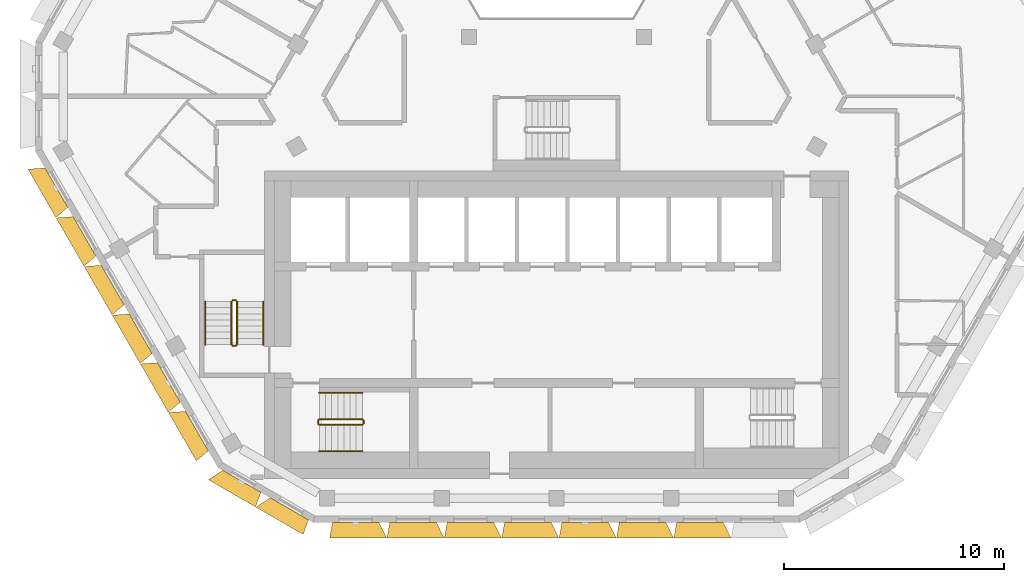
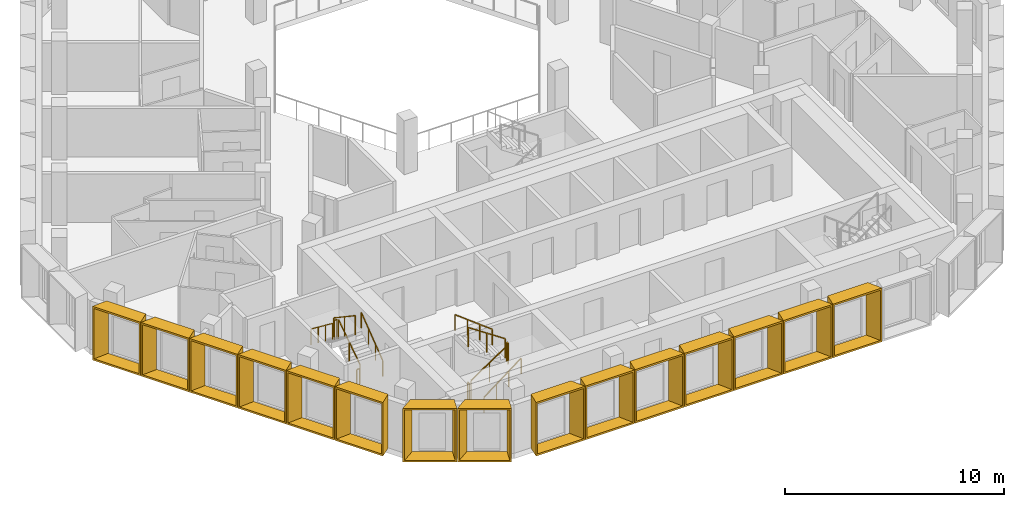
# One storey, part 12 of 16: 15 shading devices, 12 railings.
"""IFC4 building model written with IfcOpenShell, lengths in metres."""

from ifc_helpers import new_model, entity, si_unit, direction, frame, origin, origin_2d, place, context, subcontext, project, spatial, rectangle, extrude, source, transform, mapped, material, type_object, type_shapes, element, save


model = new_model("IFC4")

# Units and contexts
model_context = context("Model", 3, precision=1e-05, world=origin(), true_north=direction((0.0, 1.0)))
body_context = subcontext(model_context, "Body", "Model", "MODEL_VIEW")
ifc_project = project(units=[si_unit("LENGTHUNIT", "METRE"), si_unit("AREAUNIT", "SQUARE_METRE"), si_unit("VOLUMEUNIT", "CUBIC_METRE"), si_unit("PLANEANGLEUNIT", "RADIAN"), si_unit("MASSUNIT", "GRAM", prefix="KILO")], contexts=[model_context])

# Site, building, storey
site_placement = place(None, origin())
site = spatial("IfcSite", under=ifc_project, at=site_placement, CompositionType="ELEMENT")
building_placement = place(site_placement, origin())
building = spatial("IfcBuilding", under=site, at=building_placement, Name="Beryl Residences", CompositionType="ELEMENT")
storey_placement = place(building_placement, frame((0.0, 0.0, 214.800048828125)))
storey = spatial("IfcBuildingStorey", under=building, at=storey_placement, Name="L66", CompositionType="ELEMENT", Elevation=214.800048828125)

# Shading devices
ifc_material_1 = material(Name="Aluminium pale anodised", Category="aluminium")
shading_device_type_1 = type_object("IfcShadingDeviceType", Name="FR250-70B OUTER SKIN frame 700 mm deep, splay 26/10 deg, 2500 x 3000 mm cell", PredefinedType="USERDEFINED", material=ifc_material_1)
cartesian_point_1 = entity("IfcCartesianPoint", [-1.007568359375, 0.0])
cartesian_point_2 = entity("IfcCartesianPoint", [-0.91845703125, 0.10009765625])
cartesian_point_3 = entity("IfcCartesianPoint", [-1.348876953125, 0.0])
cartesian_point_4 = entity("IfcCartesianPoint", [-1.260009765625, 0.10009765625])
shared_shape_1 = source(origin(), body_context, "Body", "SweptSolid", [
    entity("IfcExtrudedAreaSolidTapered", entity("IfcArbitraryProfileDefWithVoids", "AREA", None, entity("IfcPolyline", [cartesian_point_1, entity("IfcCartesianPoint", [1.007568359375, 0.0]), entity("IfcCartesianPoint", [1.007568359375, 3.0]), entity("IfcCartesianPoint", [-1.007568359375, 3.0]), cartesian_point_1]), [entity("IfcPolyline", [cartesian_point_2, entity("IfcCartesianPoint", [0.92626953125, 0.10009765625]), entity("IfcCartesianPoint", [0.92626953125, 2.89990234375]), entity("IfcCartesianPoint", [-0.91845703125, 2.89990234375]), cartesian_point_2])]), entity("IfcAxis2Placement3D", entity("IfcCartesianPoint", [0.0, 0.0, 0.0]), entity("IfcDirection", [0.0, 1.0, 0.0]), entity("IfcDirection", [-1.0, 0.0, 0.0])), entity("IfcDirection", [0.0, 0.0, 1.0]), 0.699951171875, entity("IfcArbitraryProfileDefWithVoids", "AREA", None, entity("IfcPolyline", [cartesian_point_3, entity("IfcCartesianPoint", [1.130859375, 0.0]), entity("IfcCartesianPoint", [1.130859375, 3.0]), entity("IfcCartesianPoint", [-1.348876953125, 3.0]), cartesian_point_3]), [entity("IfcPolyline", [cartesian_point_4, entity("IfcCartesianPoint", [1.0498046875, 0.10009765625]), entity("IfcCartesianPoint", [1.0498046875, 2.89990234375]), entity("IfcCartesianPoint", [-1.260009765625, 2.89990234375]), cartesian_point_4])])),
])
type_shapes(shading_device_type_1, [shared_shape_1])
for number, where, z_axis, x_axis, name in (
    (1, (-14.33203125, -19.125, 0.0), (0.0, 0.0, 1.0), (-0.866025403784, 0.5, 0.0), "FR250-70B frame L66 SW-S 1"),
    (2, (-12.16796875, -20.375, 0.0), (0.0, 0.0, 1.0), (-0.866025403784, 0.5, 0.0), "FR250-70B frame L66 SW-S 2"),
):
    element("IfcShadingDevice", number, at=place(storey_placement, frame(where, z_axis=z_axis, x_axis=x_axis)), inside=storey, type_object=shading_device_type_1, Name=name, ObjectType="OUTER SKIN", PredefinedType="USERDEFINED", context=body_context, shape_type="MappedRepresentation", body=[
        mapped(shared_shape_1, transform((0.0, 0.0, 0.0))),
    ])
ifc_material_2 = material(Name="Aluminium pale anodised", Category="aluminium")
shading_device_type_2 = type_object("IfcShadingDeviceType", Name="FR256-70B OUTER SKIN frame 700 mm deep, splay 26/10 deg, 2560 x 3000 mm cell", PredefinedType="USERDEFINED", material=ifc_material_2)
cartesian_point_5 = entity("IfcCartesianPoint", [-1.03759765625, 0.0])
cartesian_point_6 = entity("IfcCartesianPoint", [-0.948486328125, 0.10009765625])
cartesian_point_7 = entity("IfcCartesianPoint", [-1.37890625, 0.0])
cartesian_point_8 = entity("IfcCartesianPoint", [-1.289794921875, 0.10009765625])
shared_shape_2 = source(origin(), body_context, "Body", "SweptSolid", [
    entity("IfcExtrudedAreaSolidTapered", entity("IfcArbitraryProfileDefWithVoids", "AREA", None, entity("IfcPolyline", [cartesian_point_5, entity("IfcCartesianPoint", [1.03759765625, 0.0]), entity("IfcCartesianPoint", [1.03759765625, 3.0]), entity("IfcCartesianPoint", [-1.03759765625, 3.0]), cartesian_point_5]), [entity("IfcPolyline", [cartesian_point_6, entity("IfcCartesianPoint", [0.956298828125, 0.10009765625]), entity("IfcCartesianPoint", [0.956298828125, 2.89990234375]), entity("IfcCartesianPoint", [-0.948486328125, 2.89990234375]), cartesian_point_6])]), entity("IfcAxis2Placement3D", entity("IfcCartesianPoint", [0.0, 0.0, 0.0]), entity("IfcDirection", [0.0, 1.0, 0.0]), entity("IfcDirection", [-1.0, 0.0, 0.0])), entity("IfcDirection", [0.0, 0.0, 1.0]), 0.699951171875, entity("IfcArbitraryProfileDefWithVoids", "AREA", None, entity("IfcPolyline", [cartesian_point_7, entity("IfcCartesianPoint", [1.160888671875, 0.0]), entity("IfcCartesianPoint", [1.160888671875, 3.0]), entity("IfcCartesianPoint", [-1.37890625, 3.0]), cartesian_point_7]), [entity("IfcPolyline", [cartesian_point_8, entity("IfcCartesianPoint", [1.07958984375, 0.10009765625]), entity("IfcCartesianPoint", [1.07958984375, 2.89990234375]), entity("IfcCartesianPoint", [-1.289794921875, 2.89990234375]), cartesian_point_8])])),
])
type_shapes(shading_device_type_2, [shared_shape_2])
for number, where, z_axis, x_axis, name in (
    (3, (-22.77099609375, -5.758056640625, 0.0), (0.0, 0.0, 1.0), (-0.5, 0.866025403784, 0.0), "FR256-70B frame L66 SW 1"),
    (4, (-21.491943359375, -7.97509765625, 0.0), (0.0, 0.0, 1.0), (-0.5, 0.866025403784, 0.0), "FR256-70B frame L66 SW 2"),
    (5, (-20.2119140625, -10.19091796875, 0.0), (0.0, 0.0, 1.0), (-0.5, 0.866025403784, 0.0), "FR256-70B frame L66 SW 3"),
    (6, (-18.931884765625, -12.407958984375, 0.0), (0.0, 0.0, 1.0), (-0.5, 0.866025403784, 0.0), "FR256-70B frame L66 SW 4"),
    (7, (-17.653076171875, -14.6240234375, 0.0), (0.0, 0.0, 1.0), (-0.5, 0.866025403784, 0.0), "FR256-70B frame L66 SW 5"),
    (8, (-16.373046875, -16.841064453125, 0.0), (0.0, 0.0, 1.0), (-0.5, 0.866025403784, 0.0), "FR256-70B frame L66 SW 6"),
):
    element("IfcShadingDevice", number, at=place(storey_placement, frame(where, z_axis=z_axis, x_axis=x_axis)), inside=storey, type_object=shading_device_type_2, Name=name, ObjectType="OUTER SKIN", PredefinedType="USERDEFINED", context=body_context, shape_type="MappedRepresentation", body=[
        mapped(shared_shape_2, transform((0.0, 0.0, 0.0))),
    ])
ifc_material_3 = material(Name="Aluminium pale anodised", Category="aluminium")
shading_device_type_3 = type_object("IfcShadingDeviceType", Name="FR261-70C OUTER SKIN frame 700 mm deep, splay 10/26 deg, 2610 x 3000 mm cell", PredefinedType="USERDEFINED", material=ifc_material_3)
cartesian_point_9 = entity("IfcCartesianPoint", [-1.0625, 0.0])
cartesian_point_10 = entity("IfcCartesianPoint", [-0.981201171875, 0.10009765625])
cartesian_point_11 = entity("IfcCartesianPoint", [-1.18603515625, 0.0])
cartesian_point_12 = entity("IfcCartesianPoint", [-1.104736328125, 0.10009765625])
shared_shape_3 = source(origin(), body_context, "Body", "SweptSolid", [
    entity("IfcExtrudedAreaSolidTapered", entity("IfcArbitraryProfileDefWithVoids", "AREA", None, entity("IfcPolyline", [cartesian_point_9, entity("IfcCartesianPoint", [1.0625, 0.0]), entity("IfcCartesianPoint", [1.0625, 3.0]), entity("IfcCartesianPoint", [-1.0625, 3.0]), cartesian_point_9]), [entity("IfcPolyline", [cartesian_point_10, entity("IfcCartesianPoint", [0.973388671875, 0.10009765625]), entity("IfcCartesianPoint", [0.973388671875, 2.89990234375]), entity("IfcCartesianPoint", [-0.981201171875, 2.89990234375]), cartesian_point_10])]), entity("IfcAxis2Placement3D", entity("IfcCartesianPoint", [0.0, 0.0, 0.0]), entity("IfcDirection", [0.0, 1.0, 0.0]), entity("IfcDirection", [-1.0, 0.0, 0.0])), entity("IfcDirection", [0.0, 0.0, 1.0]), 0.699951171875, entity("IfcArbitraryProfileDefWithVoids", "AREA", None, entity("IfcPolyline", [cartesian_point_11, entity("IfcCartesianPoint", [1.40380859375, 0.0]), entity("IfcCartesianPoint", [1.40380859375, 3.0]), entity("IfcCartesianPoint", [-1.18603515625, 3.0]), cartesian_point_11]), [entity("IfcPolyline", [cartesian_point_12, entity("IfcCartesianPoint", [1.31494140625, 0.10009765625]), entity("IfcCartesianPoint", [1.31494140625, 2.89990234375]), entity("IfcCartesianPoint", [-1.104736328125, 2.89990234375]), cartesian_point_12])])),
])
type_shapes(shading_device_type_3, [shared_shape_3])
for number, where, z_axis, x_axis, name in (
    (9, (-9.14404296875, -21.0, 0.0), (0.0, 0.0, 1.0), (-1.0, 0.0, 0.0), "FR261-70C frame L66 S 1"),
    (10, (-6.531005859375, -21.0, 0.0), (0.0, 0.0, 1.0), (-1.0, 0.0, 0.0), "FR261-70C frame L66 S 2"),
    (11, (-3.9189453125, -21.0, 0.0), (0.0, 0.0, 1.0), (-1.0, 0.0, 0.0), "FR261-70C frame L66 S 3"),
    (12, (-1.305908203125, -21.0, 0.0), (0.0, 0.0, 1.0), (-1.0, 0.0, 0.0), "FR261-70C frame L66 S 4"),
    (13, (1.305908203125, -21.0, 0.0), (0.0, 0.0, 1.0), (-1.0, 0.0, 0.0), "FR261-70C frame L66 S 5"),
    (14, (3.9189453125, -21.0, 0.0), (0.0, 0.0, 1.0), (-1.0, 0.0, 0.0), "FR261-70C frame L66 S 6"),
    (15, (6.531005859375, -21.0, 0.0), (0.0, 0.0, 1.0), (-1.0, 0.0, 0.0), "FR261-70C frame L66 S 7"),
):
    element("IfcShadingDevice", number, at=place(storey_placement, frame(where, z_axis=z_axis, x_axis=x_axis)), inside=storey, type_object=shading_device_type_3, Name=name, ObjectType="OUTER SKIN", PredefinedType="USERDEFINED", context=body_context, shape_type="MappedRepresentation", body=[
        mapped(shared_shape_3, transform((0.0, 0.0, 0.0))),
    ])

# Railings
ifc_material_4 = material(Name="Stainless steel balustrade with glass infill", Category="steel")
railing_type_1 = type_object("IfcRailingType", Name="SG1 stair guard 1100 mm", PredefinedType="GUARDRAIL", material=ifc_material_4)
railing_1_placement = place(storey_placement, frame((-10.800048828125, -16.550048828125, 0.1875)))
element("IfcRailing", 16, at=railing_1_placement, inside=storey, type_object=railing_type_1, Name="L66 ST-1 stair guard 1", PredefinedType="GUARDRAIL", context=body_context, shape_type="SweptSolid", body=[
    extrude(rectangle(XDim=0.048095703125, YDim=0.048095703125, at=origin_2d()), frame((0.0, 0.0, 1.076171875), z_axis=(0.830902050051, 0.0, 0.556418712142), x_axis=(0.0, 1.0, 0.0)), (0.0, 0.0, 1.0), 2.35888671875),
    extrude(rectangle(XDim=0.0419921875, YDim=0.0419921875, at=origin_2d()), origin(), (0.0, 0.0, 1.0), 1.052001953125),
    extrude(rectangle(XDim=0.0419921875, YDim=0.0419921875, at=origin_2d()), frame((0.97998046875, 0.0, 0.65625)), (0.0, 0.0, 1.0), 1.052001953125),
    extrude(rectangle(XDim=0.0419921875, YDim=0.0419921875, at=origin_2d()), frame((1.9599609375, 0.0, 1.3125)), (0.0, 0.0, 1.0), 1.052001953125),
])
railing_2_placement = place(storey_placement, frame((-8.7900390625, -16.5, 1.5)))
element("IfcRailing", 17, at=railing_2_placement, inside=storey, type_object=railing_type_1, Name="L66 ST-1 stair guard 2", PredefinedType="GUARDRAIL", context=body_context, shape_type="SweptSolid", body=[
    extrude(rectangle(XDim=0.048095703125, YDim=0.048095703125, at=origin_2d()), frame((0.0, 0.0, 1.076171875), z_axis=(0.0, 1.0, 0.0), x_axis=(-1.0, 0.0, 0.0)), (0.0, 0.0, 1.0), 0.14990234375),
    extrude(rectangle(XDim=0.0419921875, YDim=0.0419921875, at=origin_2d()), origin(), (0.0, 0.0, 1.0), 1.052001953125),
    extrude(rectangle(XDim=0.0419921875, YDim=0.0419921875, at=origin_2d()), frame((0.0, 0.14990234375, 0.0)), (0.0, 0.0, 1.0), 1.052001953125),
])
railing_3_placement = place(storey_placement, frame((-8.840087890625, -16.300048828125, 1.6875)))
element("IfcRailing", 18, at=railing_3_placement, inside=storey, type_object=railing_type_1, Name="L66 ST-1 stair guard 3", PredefinedType="GUARDRAIL", context=body_context, shape_type="SweptSolid", body=[
    extrude(rectangle(XDim=0.048095703125, YDim=0.048095703125, at=origin_2d()), frame((0.0, 0.0, 1.076171875), z_axis=(-0.830902050051, 0.0, 0.556418712142), x_axis=(0.0, -1.0, 0.0)), (0.0, 0.0, 1.0), 2.35888671875),
    extrude(rectangle(XDim=0.0419921875, YDim=0.0419921875, at=origin_2d()), origin(), (0.0, 0.0, 1.0), 1.052001953125),
    extrude(rectangle(XDim=0.0419921875, YDim=0.0419921875, at=origin_2d()), frame((-0.97998046875, 0.0, 0.65625)), (0.0, 0.0, 1.0), 1.052001953125),
    extrude(rectangle(XDim=0.0419921875, YDim=0.0419921875, at=origin_2d()), frame((-1.9599609375, 0.0, 1.3125)), (0.0, 0.0, 1.0), 1.052001953125),
])
railing_4_placement = place(storey_placement, frame((-10.85009765625, -16.5, 0.0)))
element("IfcRailing", 19, at=railing_4_placement, inside=storey, type_object=railing_type_1, Name="L66 ST-1 stair guard 4", PredefinedType="GUARDRAIL", context=body_context, shape_type="SweptSolid", body=[
    extrude(rectangle(XDim=0.048095703125, YDim=0.048095703125, at=origin_2d()), frame((0.0, 0.0, 1.076171875), z_axis=(0.0, 1.0, 0.0), x_axis=(-1.0, 0.0, 0.0)), (0.0, 0.0, 1.0), 0.14990234375),
    extrude(rectangle(XDim=0.0419921875, YDim=0.0419921875, at=origin_2d()), origin(), (0.0, 0.0, 1.0), 1.052001953125),
    extrude(rectangle(XDim=0.0419921875, YDim=0.0419921875, at=origin_2d()), frame((0.0, 0.14990234375, 0.0)), (0.0, 0.0, 1.0), 1.052001953125),
])
railing_5_placement = place(storey_placement, frame((-14.550048828125, -12.89990234375, 0.1875)))
element("IfcRailing", 20, at=railing_5_placement, inside=storey, type_object=railing_type_1, Name="L66 ST-2 stair guard 1", PredefinedType="GUARDRAIL", context=body_context, shape_type="SweptSolid", body=[
    extrude(rectangle(XDim=0.048095703125, YDim=0.048095703125, at=origin_2d()), frame((0.0, 0.0, 1.076171875), z_axis=(0.0, 0.830902050051, 0.556418712142), x_axis=(-1.0, 0.0, 0.0)), (0.0, 0.0, 1.0), 2.35888671875),
    extrude(rectangle(XDim=0.0419921875, YDim=0.0419921875, at=origin_2d()), origin(), (0.0, 0.0, 1.0), 1.052001953125),
    extrude(rectangle(XDim=0.0419921875, YDim=0.0419921875, at=origin_2d()), frame((0.0, 0.97998046875, 0.65625)), (0.0, 0.0, 1.0), 1.052001953125),
    extrude(rectangle(XDim=0.0419921875, YDim=0.0419921875, at=origin_2d()), frame((0.0, 1.9599609375, 1.3125)), (0.0, 0.0, 1.0), 1.052001953125),
])
railing_6_placement = place(storey_placement, frame((-14.60009765625, -10.889892578125, 1.5)))
element("IfcRailing", 21, at=railing_6_placement, inside=storey, type_object=railing_type_1, Name="L66 ST-2 stair guard 2", PredefinedType="GUARDRAIL", context=body_context, shape_type="SweptSolid", body=[
    extrude(rectangle(XDim=0.048095703125, YDim=0.048095703125, at=origin_2d()), frame((0.0, 0.0, 1.076171875), z_axis=(-1.0, 0.0, 0.0), x_axis=(0.0, -1.0, 0.0)), (0.0, 0.0, 1.0), 0.14990234375),
    extrude(rectangle(XDim=0.0419921875, YDim=0.0419921875, at=origin_2d()), origin(), (0.0, 0.0, 1.0), 1.052001953125),
    extrude(rectangle(XDim=0.0419921875, YDim=0.0419921875, at=origin_2d()), frame((-0.14990234375, 0.0, 0.0)), (0.0, 0.0, 1.0), 1.052001953125),
])
railing_7_placement = place(storey_placement, frame((-14.800048828125, -10.93994140625, 1.6875)))
element("IfcRailing", 22, at=railing_7_placement, inside=storey, type_object=railing_type_1, Name="L66 ST-2 stair guard 3", PredefinedType="GUARDRAIL", context=body_context, shape_type="SweptSolid", body=[
    extrude(rectangle(XDim=0.048095703125, YDim=0.048095703125, at=origin_2d()), frame((0.0, 0.0, 1.076171875), z_axis=(0.0, -0.830902050051, 0.556418712142), x_axis=(1.0, 0.0, 0.0)), (0.0, 0.0, 1.0), 2.35888671875),
    extrude(rectangle(XDim=0.0419921875, YDim=0.0419921875, at=origin_2d()), origin(), (0.0, 0.0, 1.0), 1.052001953125),
    extrude(rectangle(XDim=0.0419921875, YDim=0.0419921875, at=origin_2d()), frame((0.0, -0.97998046875, 0.65625)), (0.0, 0.0, 1.0), 1.052001953125),
    extrude(rectangle(XDim=0.0419921875, YDim=0.0419921875, at=origin_2d()), frame((0.0, -1.9599609375, 1.3125)), (0.0, 0.0, 1.0), 1.052001953125),
])
railing_8_placement = place(storey_placement, frame((-14.60009765625, -12.949951171875, 0.0)))
element("IfcRailing", 23, at=railing_8_placement, inside=storey, type_object=railing_type_1, Name="L66 ST-2 stair guard 4", PredefinedType="GUARDRAIL", context=body_context, shape_type="SweptSolid", body=[
    extrude(rectangle(XDim=0.048095703125, YDim=0.048095703125, at=origin_2d()), frame((0.0, 0.0, 1.076171875), z_axis=(-1.0, 0.0, 0.0), x_axis=(0.0, -1.0, 0.0)), (0.0, 0.0, 1.0), 0.14990234375),
    extrude(rectangle(XDim=0.0419921875, YDim=0.0419921875, at=origin_2d()), origin(), (0.0, 0.0, 1.0), 1.052001953125),
    extrude(rectangle(XDim=0.0419921875, YDim=0.0419921875, at=origin_2d()), frame((-0.14990234375, 0.0, 0.0)), (0.0, 0.0, 1.0), 1.052001953125),
])
ifc_material_5 = material(Name="Stainless steel handrail", Category="steel")
railing_type_2 = type_object("IfcRailingType", Name="SRL1 stair handrail 900 mm", PredefinedType="HANDRAIL", material=ifc_material_5)
railing_9_placement = place(storey_placement, frame((-10.800048828125, -17.75, 0.1875)))
element("IfcRailing", 24, at=railing_9_placement, inside=storey, type_object=railing_type_2, Name="L66 ST-1 stair handrail 1", PredefinedType="HANDRAIL", context=body_context, shape_type="SweptSolid", body=[
    extrude(rectangle(XDim=0.048095703125, YDim=0.048095703125, at=origin_2d()), frame((0.0, 0.0, 0.8759765625), z_axis=(0.794121922505, 0.0, 0.607758481798), x_axis=(0.0, 1.0, 0.0)), (0.0, 0.0, 1.0), 2.468017578125),
    extrude(rectangle(XDim=0.0419921875, YDim=0.0419921875, at=origin_2d()), origin(), (0.0, 0.0, 1.0), 0.851806640625),
    extrude(rectangle(XDim=0.0419921875, YDim=0.0419921875, at=origin_2d()), frame((0.6533203125, 0.0, 0.5)), (0.0, 0.0, 1.0), 0.851806640625),
    extrude(rectangle(XDim=0.0419921875, YDim=0.0419921875, at=origin_2d()), frame((1.306640625, 0.0, 1.0)), (0.0, 0.0, 1.0), 0.851806640625),
    extrude(rectangle(XDim=0.0419921875, YDim=0.0419921875, at=origin_2d()), frame((1.9599609375, 0.0, 1.5)), (0.0, 0.0, 1.0), 0.851806640625),
])
railing_10_placement = place(storey_placement, frame((-8.840087890625, -15.10009765625, 1.6875)))
element("IfcRailing", 25, at=railing_10_placement, inside=storey, type_object=railing_type_2, Name="L66 ST-1 stair handrail 2", PredefinedType="HANDRAIL", context=body_context, shape_type="SweptSolid", body=[
    extrude(rectangle(XDim=0.048095703125, YDim=0.048095703125, at=origin_2d()), frame((0.0, 0.0, 0.8759765625), z_axis=(-0.794121922505, 0.0, 0.607758481798), x_axis=(0.0, -1.0, 0.0)), (0.0, 0.0, 1.0), 2.468017578125),
    extrude(rectangle(XDim=0.0419921875, YDim=0.0419921875, at=origin_2d()), origin(), (0.0, 0.0, 1.0), 0.851806640625),
    extrude(rectangle(XDim=0.0419921875, YDim=0.0419921875, at=origin_2d()), frame((-0.6533203125, 0.0, 0.5)), (0.0, 0.0, 1.0), 0.851806640625),
    extrude(rectangle(XDim=0.0419921875, YDim=0.0419921875, at=origin_2d()), frame((-1.306640625, 0.0, 1.0)), (0.0, 0.0, 1.0), 0.851806640625),
    extrude(rectangle(XDim=0.0419921875, YDim=0.0419921875, at=origin_2d()), frame((-1.9599609375, 0.0, 1.5)), (0.0, 0.0, 1.0), 0.851806640625),
])
railing_11_placement = place(storey_placement, frame((-13.35009765625, -12.89990234375, 0.1875)))
element("IfcRailing", 26, at=railing_11_placement, inside=storey, type_object=railing_type_2, Name="L66 ST-2 stair handrail 1", PredefinedType="HANDRAIL", context=body_context, shape_type="SweptSolid", body=[
    extrude(rectangle(XDim=0.048095703125, YDim=0.048095703125, at=origin_2d()), frame((0.0, 0.0, 0.8759765625), z_axis=(0.0, 0.794121922505, 0.607758481798), x_axis=(-1.0, 0.0, 0.0)), (0.0, 0.0, 1.0), 2.468017578125),
    extrude(rectangle(XDim=0.0419921875, YDim=0.0419921875, at=origin_2d()), origin(), (0.0, 0.0, 1.0), 0.851806640625),
    extrude(rectangle(XDim=0.0419921875, YDim=0.0419921875, at=origin_2d()), frame((0.0, 0.6533203125, 0.5)), (0.0, 0.0, 1.0), 0.851806640625),
    extrude(rectangle(XDim=0.0419921875, YDim=0.0419921875, at=origin_2d()), frame((0.0, 1.306640625, 1.0)), (0.0, 0.0, 1.0), 0.851806640625),
    extrude(rectangle(XDim=0.0419921875, YDim=0.0419921875, at=origin_2d()), frame((0.0, 1.9599609375, 1.5)), (0.0, 0.0, 1.0), 0.851806640625),
])
railing_12_placement = place(storey_placement, frame((-16.0, -10.93994140625, 1.6875)))
element("IfcRailing", 27, at=railing_12_placement, inside=storey, type_object=railing_type_2, Name="L66 ST-2 stair handrail 2", PredefinedType="HANDRAIL", context=body_context, shape_type="SweptSolid", body=[
    extrude(rectangle(XDim=0.048095703125, YDim=0.048095703125, at=origin_2d()), frame((0.0, 0.0, 0.8759765625), z_axis=(0.0, -0.794121922505, 0.607758481798), x_axis=(1.0, 0.0, 0.0)), (0.0, 0.0, 1.0), 2.468017578125),
    extrude(rectangle(XDim=0.0419921875, YDim=0.0419921875, at=origin_2d()), origin(), (0.0, 0.0, 1.0), 0.851806640625),
    extrude(rectangle(XDim=0.0419921875, YDim=0.0419921875, at=origin_2d()), frame((0.0, -0.6533203125, 0.5)), (0.0, 0.0, 1.0), 0.851806640625),
    extrude(rectangle(XDim=0.0419921875, YDim=0.0419921875, at=origin_2d()), frame((0.0, -1.306640625, 1.0)), (0.0, 0.0, 1.0), 0.851806640625),
    extrude(rectangle(XDim=0.0419921875, YDim=0.0419921875, at=origin_2d()), frame((0.0, -1.9599609375, 1.5)), (0.0, 0.0, 1.0), 0.851806640625),
])

save(model, "model.ifc")
